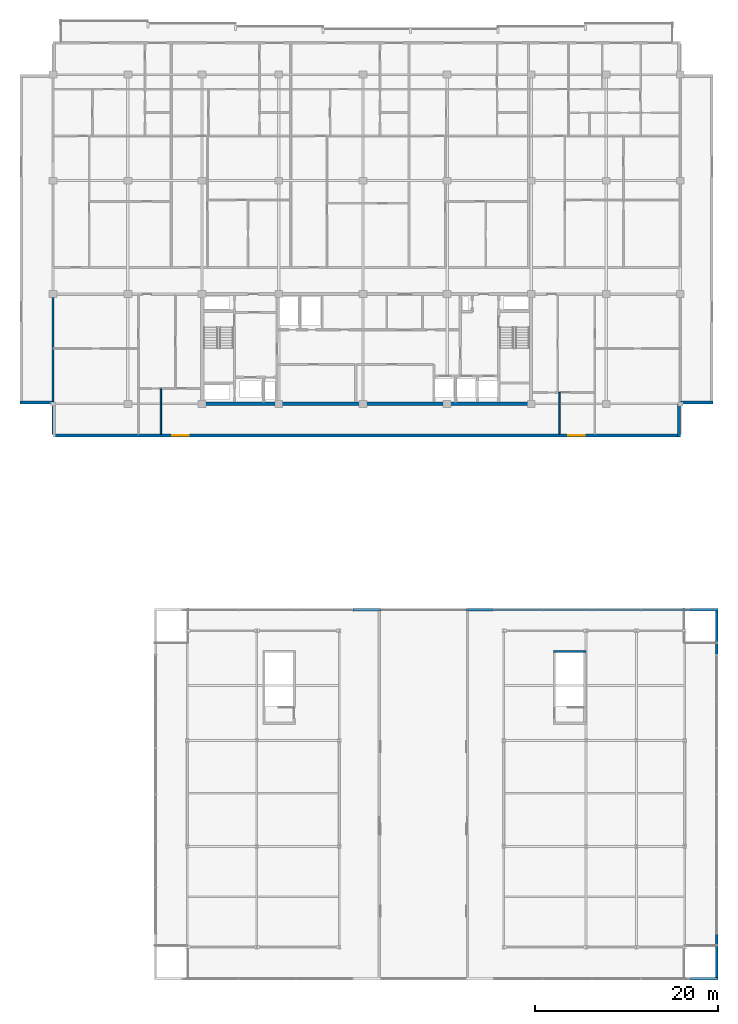
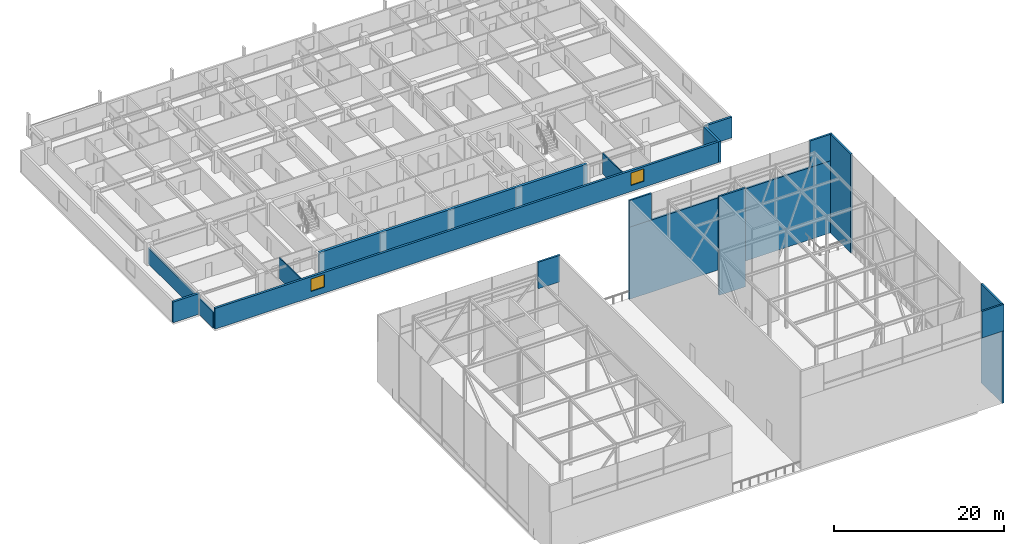
# One storey, part 33 of 42: 16 walls, 2 windows, 2 openings.
"""IFC4 building model written with IfcOpenShell, lengths in metres."""

from ifc_helpers import new_model, si_unit, direction, frame, frame_2d, origin, place, context, subcontext, project, spatial, rectangle, extrude, material, layer, layer_set, type_object, element, fill, save


model = new_model("IFC4")

# Units and contexts
model_context = context("Model", 3, precision=1e-05, world=origin(), true_north=direction((0.0, 1.0)))
body_context = subcontext(model_context, "Body", "Model", "MODEL_VIEW")
ifc_project = project(units=[si_unit("LENGTHUNIT", "METRE"), si_unit("AREAUNIT", "SQUARE_METRE"), si_unit("VOLUMEUNIT", "CUBIC_METRE"), si_unit("PLANEANGLEUNIT", "RADIAN"), si_unit("MASSUNIT", "GRAM", prefix="KILO")], contexts=[model_context])

# Site, building, storey
site_placement = place(None, origin())
site = spatial("IfcSite", under=ifc_project, at=site_placement, CompositionType="ELEMENT")
building_placement = place(site_placement, origin())
building = spatial("IfcBuilding", under=site, at=building_placement, Name="Korimba Cascade Residences", CompositionType="ELEMENT")
storey_placement = place(building_placement, frame((0.0, 0.0, 207.60009765625)))
storey = spatial("IfcBuildingStorey", under=building, at=storey_placement, Name="L60", CompositionType="ELEMENT", Elevation=207.60009765625)

# Walls
ifc_material_1 = material(Name="Precast concrete C40/50", Category="concrete")
ifc_layer_1 = layer(ifc_material_1, 0.25)
ifc_layer_set_1 = layer_set([ifc_layer_1], Name="Precast concrete C40/50")
wall_type_1 = type_object("IfcWallType", Name="EW-PLNT-250", PredefinedType="SHEAR", material=ifc_layer_set_1)
for number, where, z_axis, x_axis, name in (
    (1, (95.60009765625, 32.675048828125, 5.849853515625), (0.0, 0.0, 1.0), (-1.0, 0.0, 0.0), "L60 Crown W North Clerestory Pier 1"),
    (2, (129.5, -7.675048828125, 10.349853515625), (0.0, 0.0, 1.0), (1.0, 0.0, 0.0), "L60 Crown E South Clerestory Pier 2"),
):
    element("IfcWall", number, at=place(storey_placement, frame(where, z_axis=z_axis, x_axis=x_axis)), inside=storey, type_object=wall_type_1, Name=name, PredefinedType="SHEAR", context=body_context, shape_type="SweptSolid", body=[
        extrude(rectangle(XDim=3.0, YDim=0.25, at=frame_2d((1.5, 0.0))), origin(), (0.0, 0.0, 1.0), 3.800048828125),
    ])
wall_1_placement = place(storey_placement, frame((132.5, 32.675048828125, 0.0), z_axis=(0.0, 0.0, 1.0), x_axis=(-1.0, 0.0, 0.0)))
element("IfcWall", 3, at=wall_1_placement, inside=storey, type_object=wall_type_1, Name="L60 Crown E North Stone Cladding Wall", PredefinedType="SHEAR", context=body_context, shape_type="SweptSolid", body=[
    extrude(rectangle(XDim=27.5, YDim=0.25, at=frame_2d((13.75, 0.0))), origin(), (0.0, 0.0, 1.0), 10.349853515625),
])
for number, where, z_axis, x_axis, name in (
    (4, (132.5, 32.675048828125, 10.349853515625), (0.0, 0.0, 1.0), (-1.0, 0.0, 0.0), "L60 Crown E North Clerestory Pier 1"),
    (5, (108.0, 32.675048828125, 10.349853515625), (0.0, 0.0, 1.0), (-1.0, 0.0, 0.0), "L60 Crown E North Clerestory Pier 2"),
):
    element("IfcWall", number, at=place(storey_placement, frame(where, z_axis=z_axis, x_axis=x_axis)), inside=storey, type_object=wall_type_1, Name=name, PredefinedType="SHEAR", context=body_context, shape_type="SweptSolid", body=[
        extrude(rectangle(XDim=3.0, YDim=0.25, at=frame_2d((1.5, 0.0))), origin(), (0.0, 0.0, 1.0), 3.800048828125),
    ])
for number, where, z_axis, x_axis, name in (
    (6, (132.375, -7.800048828125, 0.0), (0.0, 0.0, 1.0), (0.0, 1.0, 0.0), "L60 Crown E Outer Corner Pier 1"),
    (7, (132.375, 27.800048828125, 0.0), (0.0, 0.0, 1.0), (0.0, 1.0, 0.0), "L60 Crown E Outer Corner Pier 2"),
):
    element("IfcWall", number, at=place(storey_placement, frame(where, z_axis=z_axis, x_axis=x_axis)), inside=storey, type_object=wall_type_1, Name=name, PredefinedType="SHEAR", context=body_context, shape_type="SweptSolid", body=[
        extrude(rectangle(XDim=5.0, YDim=0.25, at=frame_2d((2.5, 0.0))), origin(), (0.0, 0.0, 1.0), 14.14990234375),
    ])

# Wall, openings, windows
ifc_layer_2 = layer(ifc_material_1, 0.300048828125)
ifc_layer_set_2 = layer_set([ifc_layer_2], Name="Precast concrete C40/50")
wall_type_2 = type_object("IfcWallType", Name="EW-STONE-300", PredefinedType="STANDARD", material=ifc_layer_set_2)
wall_2_placement = place(storey_placement, frame((59.800048828125, 51.75, 0.0), z_axis=(0.0, 0.0, 1.0), x_axis=(1.0, 0.0, 0.0)))
wall_2 = element("IfcWall", 8, at=wall_2_placement, inside=storey, type_object=wall_type_2, Name="L60 T1 Perimeter Stone Wall E00", PredefinedType="STANDARD", context=body_context, shape_type="SweptSolid", body=[
    extrude(rectangle(XDim=68.599853515625, YDim=0.300048828125, at=frame_2d((34.2998046875, 0.0))), origin(), (0.0, 0.0, 1.0), 2.969970703125),
])
opening_1_placement = place(wall_2_placement, frame((13.02490234375, 0.0, 0.85009765625)))
opening_1 = element("IfcOpeningElement", 9, at=opening_1_placement, cuts=wall_2, Name="Opening W-02", PredefinedType="OPENING", context=body_context, shape_type="SweptSolid", body=[
    extrude(rectangle(XDim=1.800048828125, YDim=1.800048828125, at=frame_2d((0.89990234375, 0.89990234375))), frame((0.0, 0.16015625, 0.0), z_axis=(0.0, -1.0, 0.0), x_axis=(1.0, 0.0, 0.0)), (0.0, 0.0, 1.0), 0.320068359375),
])
opening_2_placement = place(wall_2_placement, frame((56.375, 0.0, 0.85009765625)))
opening_2 = element("IfcOpeningElement", 10, at=opening_2_placement, cuts=wall_2, Name="Opening W-02", PredefinedType="OPENING", context=body_context, shape_type="SweptSolid", body=[
    extrude(rectangle(XDim=1.800048828125, YDim=1.800048828125, at=frame_2d((0.89990234375, 0.89990234375))), frame((0.0, 0.16015625, 0.0), z_axis=(0.0, -1.0, 0.0), x_axis=(1.0, 0.0, 0.0)), (0.0, 0.0, 1.0), 0.320068359375),
])
ifc_material_2 = material(Name="Double-Glazed Aluminium Window", Category="aluminium")
window_type = type_object("IfcWindowType", Name="WIN-BED-1800", PartitioningType="SINGLE_PANEL", PredefinedType="WINDOW", material=ifc_material_2)
window_1_placement = place(opening_1_placement, origin())
window_1 = element("IfcWindow", 11, at=window_1_placement, inside=storey, type_object=window_type, Name="L60 T1 South Corner Bedroom Window 1", OverallHeight=1.800048828125, OverallWidth=1.800048828125, PartitioningType="SINGLE_PANEL", PredefinedType="WINDOW", context=body_context, shape_type="SweptSolid", body=[
    extrude(rectangle(XDim=1.800048828125, YDim=1.800048828125, at=frame_2d((0.89990234375, 0.89990234375))), frame((0.0, 0.030029296875, 0.0), z_axis=(0.0, -1.0, 0.0), x_axis=(1.0, 0.0, 0.0)), (0.0, 0.0, 1.0), 0.06005859375),
])
fill(opening_1, window_1)
window_2_placement = place(opening_2_placement, origin())
window_2 = element("IfcWindow", 12, at=window_2_placement, inside=storey, type_object=window_type, Name="L60 T1 South Corner Bedroom Window 2", OverallHeight=1.800048828125, OverallWidth=1.800048828125, PartitioningType="SINGLE_PANEL", PredefinedType="WINDOW", context=body_context, shape_type="SweptSolid", body=[
    extrude(rectangle(XDim=1.800048828125, YDim=1.800048828125, at=frame_2d((0.89990234375, 0.89990234375))), frame((0.0, 0.030029296875, 0.0), z_axis=(0.0, -1.0, 0.0), x_axis=(1.0, 0.0, 0.0)), (0.0, 0.0, 1.0), 0.06005859375),
])
fill(opening_2, window_2)

# Walls
wall_3_placement = place(storey_placement, frame((128.25, 51.60009765625, 0.0), z_axis=(0.0, 0.0, 1.0), x_axis=(0.0, 1.0, 0.0)))
element("IfcWall", 13, at=wall_3_placement, inside=storey, type_object=wall_type_2, Name="L60 T1 Perimeter Stone Wall E01", PredefinedType="STANDARD", context=body_context, shape_type="SweptSolid", body=[
    extrude(rectangle(XDim=3.599853515625, YDim=0.300048828125, at=frame_2d((1.7998046875, 0.0))), origin(), (0.0, 0.0, 1.0), 2.969970703125),
])
for number, where, z_axis, x_axis, name in (
    (14, (128.39990234375, 55.35009765625, 0.0), (0.0, 0.0, 1.0), (1.0, 0.0, 0.0), "L60 T1 Perimeter Stone Wall E02"),
    (15, (56.199951171875, 55.35009765625, 0.0), (0.0, 0.0, 1.0), (1.0, 0.0, 0.0), "L60 T1 Perimeter Stone Wall E10"),
):
    element("IfcWall", number, at=place(storey_placement, frame(where, z_axis=z_axis, x_axis=x_axis)), inside=storey, type_object=wall_type_2, Name=name, PredefinedType="STANDARD", context=body_context, shape_type="SweptSolid", body=[
        extrude(rectangle(XDim=3.60009765625, YDim=0.300048828125, at=frame_2d((1.800048828125, 0.0))), origin(), (0.0, 0.0, 1.0), 2.969970703125),
    ])
ifc_material_3 = material(Name="Concrete C65/80", Category="concrete")
ifc_layer_3 = layer(ifc_material_3, 0.35009765625)
ifc_layer_set_3 = layer_set([ifc_layer_3], Name="Concrete C65/80")
wall_type_3 = type_object("IfcWallType", Name="WAL-CORE-350", PredefinedType="SHEAR", material=ifc_layer_set_3)
wall_4_placement = place(storey_placement, frame((75.949951171875, 55.199951171875, 0.0), z_axis=(0.0, 0.0, 1.0), x_axis=(1.0, 0.0, 0.0)))
element("IfcWall", 16, at=wall_4_placement, inside=storey, type_object=wall_type_3, Name="L60 Core Shear Wall CW-L60-T1-S", PredefinedType="SHEAR", context=body_context, shape_type="SweptSolid", body=[
    extrude(rectangle(XDim=36.300048828125, YDim=0.35009765625, at=frame_2d((18.14990234375, 0.0))), origin(), (0.0, 0.0, 1.0), 3.25),
])
ifc_layer_4 = layer(ifc_material_1, 0.199951171875)
ifc_layer_set_4 = layer_set([ifc_layer_4], Name="Precast concrete C40/50")
wall_type_4 = type_object("IfcWallType", Name="WAL-IT-200", PredefinedType="PARTITIONING", material=ifc_layer_set_4)
wall_5_placement = place(storey_placement, frame((59.800048828125, 51.89990234375, 0.0), z_axis=(0.0, 0.0, 1.0), x_axis=(0.0, 1.0, 0.0)))
element("IfcWall", 17, at=wall_5_placement, inside=storey, type_object=wall_type_4, Name="L60 Partition Wall WAL-L60-T1-FW-WL", PredefinedType="PARTITIONING", context=body_context, shape_type="SweptSolid", body=[
    extrude(rectangle(XDim=15.300048828125, YDim=0.199951171875, at=frame_2d((7.64990234375, 0.0))), origin(), (0.0, 0.0, 1.0), 2.277099609375),
])
ifc_material_4 = material(Name="Insulated Acoustic Stud Partition", Category="gypsum")
ifc_layer_5 = layer(ifc_material_4, 0.14990234375)
ifc_layer_set_5 = layer_set([ifc_layer_5], Name="Insulated Acoustic Stud Partition")
wall_type_5 = type_object("IfcWallType", Name="WAL-PART-150", PredefinedType="PARTITIONING", material=ifc_layer_set_5)
wall_6_placement = place(storey_placement, frame((71.60009765625, 51.89990234375, 0.0), z_axis=(0.0, 0.0, 1.0), x_axis=(0.0, 1.0, 0.0)))
element("IfcWall", 18, at=wall_6_placement, inside=storey, type_object=wall_type_5, Name="L60 Partition Wall WAL-L60-T1-FW-VS", PredefinedType="PARTITIONING", context=body_context, shape_type="SweptSolid", body=[
    extrude(rectangle(XDim=4.97021484375, YDim=0.14990234375, at=frame_2d((2.485107421875, 0.0))), origin(), (0.0, 0.0, 1.0), 2.969970703125),
])
wall_7_placement = place(storey_placement, frame((115.199951171875, 51.89990234375, 0.0), z_axis=(0.0, 0.0, 1.0), x_axis=(0.0, 1.0, 0.0)))
element("IfcWall", 19, at=wall_7_placement, inside=storey, type_object=wall_type_5, Name="L60 Partition Wall WAL-L60-T1-FE-VS", PredefinedType="PARTITIONING", context=body_context, shape_type="SweptSolid", body=[
    extrude(rectangle(XDim=4.550048828125, YDim=0.14990234375, at=frame_2d((2.27490234375, 0.0))), origin(), (0.0, 0.0, 1.0), 2.969970703125),
])
ifc_material_5 = material(Name="Concrete C50/60", Category="concrete")
ifc_layer_6 = layer(ifc_material_5, 0.25)
ifc_layer_set_6 = layer_set([ifc_layer_6], Name="Concrete C50/60")
wall_type_6 = type_object("IfcWallType", Name="WAL-SHAFT-250", PredefinedType="SHEAR", material=ifc_layer_set_6)
wall_8_placement = place(storey_placement, frame((114.530029296875, 28.125, 0.0), z_axis=(0.0, 0.0, 1.0), x_axis=(1.0, 0.0, 0.0)))
element("IfcWall", 20, at=wall_8_placement, inside=storey, type_object=wall_type_6, Name="L60 Core Shear Wall CW-L60-STE2N", PredefinedType="SHEAR", context=body_context, shape_type="SweptSolid", body=[
    extrude(rectangle(XDim=3.56005859375, YDim=0.25, at=frame_2d((1.780029296875, 0.0))), origin(), (0.0, 0.0, 1.0), 14.14990234375),
])

save(model, "model.ifc")
